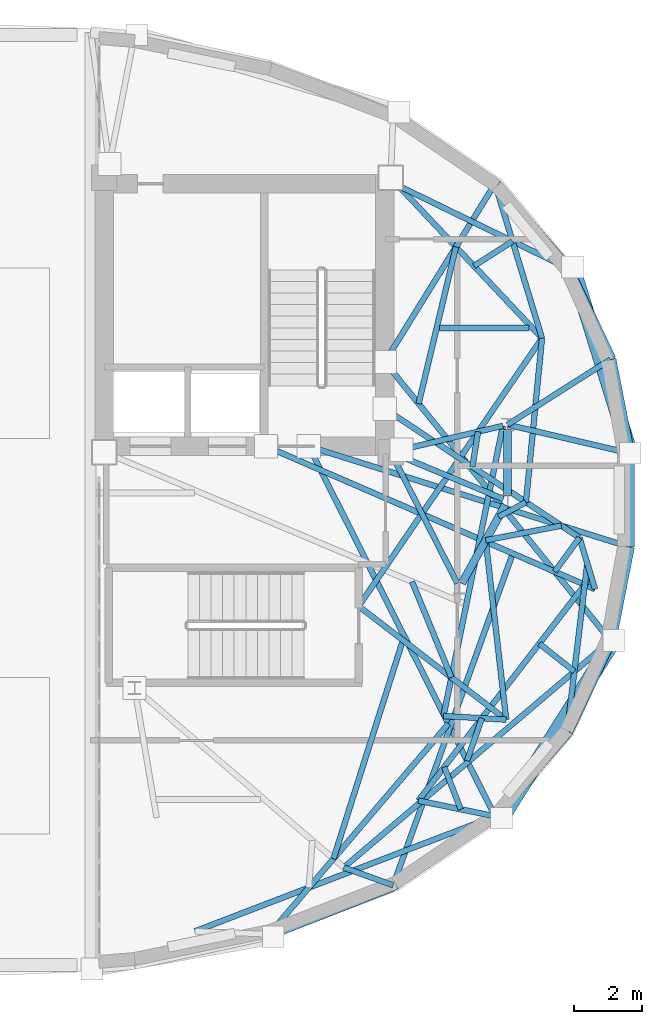
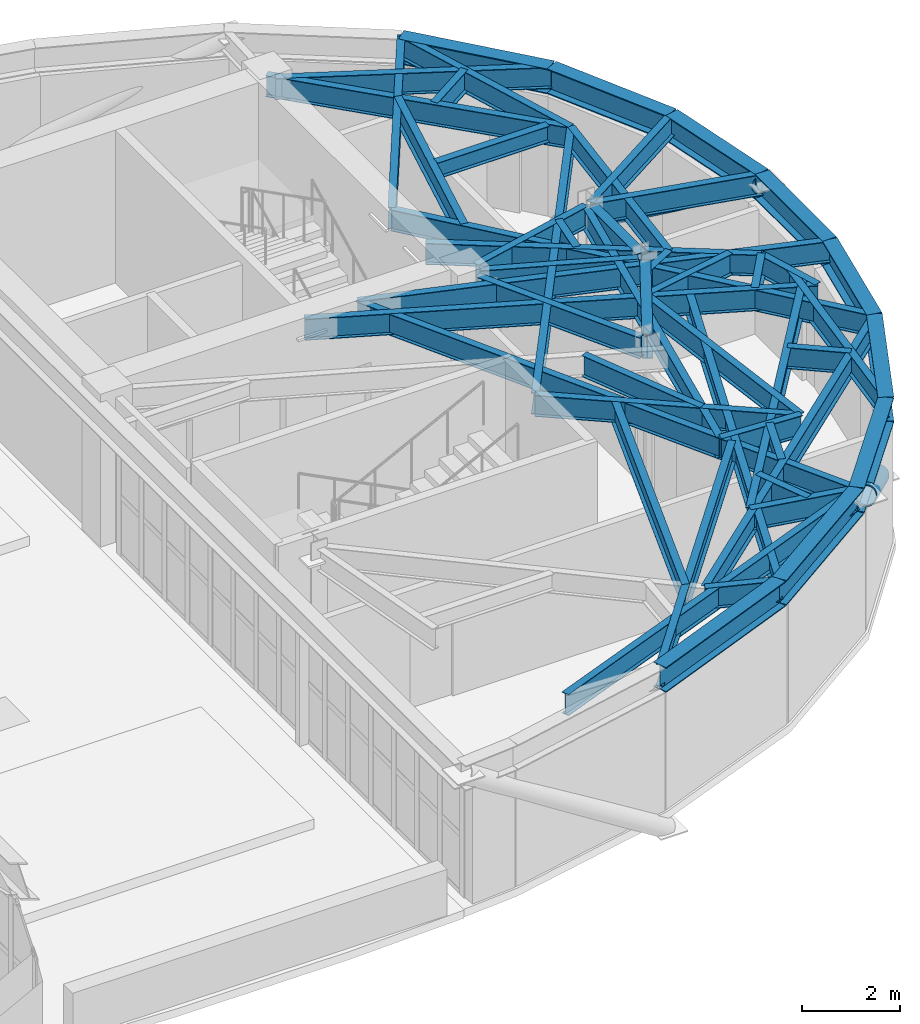
# One storey, part 5 of 13: 52 beams, 2 members.
"""IFC4 building model written with IfcOpenShell, lengths in metres."""

from ifc_helpers import new_model, si_unit, direction, frame, origin, origin_2d, place, context, subcontext, project, spatial, hollow_circle, i_section, extrude, material, material_profile, profile_set, type_object, element, save


model = new_model("IFC4")

# Units and contexts
model_context = context("Model", 3, precision=1e-05, world=origin(), true_north=direction((0.0, 1.0)))
body_context = subcontext(model_context, "Body", "Model", "MODEL_VIEW")
ifc_project = project(units=[si_unit("LENGTHUNIT", "METRE"), si_unit("AREAUNIT", "SQUARE_METRE"), si_unit("VOLUMEUNIT", "CUBIC_METRE"), si_unit("PLANEANGLEUNIT", "RADIAN"), si_unit("MASSUNIT", "GRAM", prefix="KILO")], contexts=[model_context])

# Site, building, storey
site_placement = place(None, origin())
site = spatial("IfcSite", under=ifc_project, at=site_placement, CompositionType="ELEMENT")
building_placement = place(site_placement, origin())
building = spatial("IfcBuilding", under=site, at=building_placement, Name="Keldmark Tower", CompositionType="ELEMENT")
storey_placement = place(building_placement, frame((0.0, 0.0, 269.199951171875)))
storey = spatial("IfcBuildingStorey", under=building, at=storey_placement, Name="L76", CompositionType="ELEMENT", Elevation=269.199951171875)

# Beam
ifc_material_1 = material(Name="Steel ASTM A992 Grade 50", Category="steel")
ifc_material_profile_1 = material_profile(ifc_material_1, i_section(OverallWidth=0.177978515625, OverallDepth=0.403076171875, WebThickness=0.007568359375, FlangeThickness=0.010986328125, at=origin_2d()), Name="W16X36")
ifc_profile_set_1 = profile_set([ifc_material_profile_1], Name="Steel ASTM A992 Grade 50")
beam_type_1 = type_object("IfcBeamType", Name="Composite Floor Joist W16X36", PredefinedType="JOIST", material=ifc_profile_set_1)
beam_1_placement = place(storey_placement, frame((15.0224609375, 5.0400390625, 3.3984375), z_axis=(1.0, 0.0, 0.0), x_axis=(0.0, 1.0, 0.0)))
element("IfcBeam", 1, at=beam_1_placement, inside=storey, type_object=beam_type_1, Name="L76 Composite Floor Joist J03", PredefinedType="JOIST", context=body_context, shape_type="SweptSolid", body=[
    extrude(i_section(OverallWidth=0.177978515625, OverallDepth=0.403076171875, WebThickness=0.007568359375, FlangeThickness=0.010986328125, at=origin_2d()), origin(), (0.0, 0.0, 1.0), 2.630859375),
])

# Members
ifc_material_2 = material(Name="Steel ASTM A572 Grade 50", Category="steel")
ifc_material_profile_2 = material_profile(ifc_material_2, hollow_circle(Radius=0.22509765625, WallThickness=0.02197265625, at=origin_2d()), Name="CHS450X22")
ifc_profile_set_2 = profile_set([ifc_material_profile_2], Name="Steel ASTM A572 Grade 50")
member_type = type_object("IfcMemberType", Name="Crown Frame Brace CHS450X22", PredefinedType="USERDEFINED", material=ifc_profile_set_2)
member_1_placement = place(storey_placement, frame((18.927490234375, 6.82763671875, -0.449951171875), z_axis=(0.247086594511, -0.79522326811, 0.553685983812), x_axis=(0.954964422566, 0.296720325616, 0.0)))
element("IfcMember", 2, at=member_1_placement, inside=storey, type_object=member_type, Name="L76 Crown Frame Diagonal E04", ObjectType="CROWN FRAME", PredefinedType="USERDEFINED", context=body_context, shape_type="SweptSolid", body=[
    extrude(hollow_circle(Radius=0.22509765625, WallThickness=0.02197265625, at=origin_2d()), origin(), (0.0, 0.0, 1.0), 6.86328125),
])
member_2_placement = place(storey_placement, frame((20.139892578125, -4.12158203125, -0.449951171875), z_axis=(-0.454661727466, -0.719636626699, 0.524791233816), x_axis=(0.845407009071, -0.534122634807, 0.0)))
element("IfcMember", 3, at=member_2_placement, inside=storey, type_object=member_type, Name="L76 Crown Frame Diagonal E08", ObjectType="CROWN FRAME", PredefinedType="USERDEFINED", context=body_context, shape_type="SweptSolid", body=[
    extrude(hollow_circle(Radius=0.22509765625, WallThickness=0.02197265625, at=origin_2d()), origin(), (0.0, 0.0, 1.0), 7.240966796875),
])

# Beams
ifc_material_3 = material(Name="Steel ASTM A992 Grade 50", Category="steel")
ifc_material_profile_3 = material_profile(ifc_material_3, i_section(OverallWidth=0.22802734375, OverallDepth=0.60302734375, WebThickness=0.010498046875, FlangeThickness=0.014892578125, at=origin_2d()), Name="W24X68")
ifc_profile_set_3 = profile_set([ifc_material_profile_3], Name="Steel ASTM A992 Grade 50")
beam_type_2 = type_object("IfcBeamType", Name="Primary Floor Girder W24X68", PredefinedType="BEAM", material=ifc_profile_set_3)
beam_2_placement = place(storey_placement, frame((15.68408203125, -2.44482421875, 3.298583984375), z_axis=(0.484719680408, 0.874669555561, 0.0), x_axis=(-0.874669555561, 0.484719680408, 0.0)))
element("IfcBeam", 4, at=beam_2_placement, inside=storey, type_object=beam_type_2, Name="L76 Floor Ring Girder FG-R07", PredefinedType="BEAM", context=body_context, shape_type="SweptSolid", body=[
    extrude(i_section(OverallWidth=0.22802734375, OverallDepth=0.60302734375, WebThickness=0.010498046875, FlangeThickness=0.014892578125, at=origin_2d()), origin(), (0.0, 0.0, 1.0), 2.627685546875),
])
beam_3_placement = place(storey_placement, frame((17.025634765625, 0.115966796875, 3.298583984375), z_axis=(0.0, 1.0, 0.0), x_axis=(-1.0, 0.0, 0.0)))
element("IfcBeam", 5, at=beam_3_placement, inside=storey, type_object=beam_type_2, Name="L76 Floor Ring Girder FG-R08", PredefinedType="BEAM", context=body_context, shape_type="SweptSolid", body=[
    extrude(i_section(OverallWidth=0.22802734375, OverallDepth=0.60302734375, WebThickness=0.010498046875, FlangeThickness=0.014892578125, at=origin_2d()), origin(), (0.0, 0.0, 1.0), 1.9521484375),
])
ifc_material_4 = material(Name="Steel ASTM A992 Grade 50", Category="steel")
ifc_material_profile_4 = material_profile(ifc_material_4, i_section(OverallWidth=0.166015625, OverallDepth=0.529052734375, WebThickness=0.009765625, FlangeThickness=0.013671875, at=origin_2d()), Name="W21X50")
ifc_profile_set_4 = profile_set([ifc_material_profile_4], Name="Steel ASTM A992 Grade 50")
beam_type_3 = type_object("IfcBeamType", Name="Radial Tie Girder W21X50", PredefinedType="BEAM", material=ifc_profile_set_4)
beam_4_placement = place(storey_placement, frame((16.889404296875, 2.17578125, 3.33544921875), z_axis=(-0.97329039005, -0.229577474147, 0.0), x_axis=(0.229577474147, -0.97329039005, 0.0)))
element("IfcBeam", 6, at=beam_4_placement, inside=storey, type_object=beam_type_3, Name="L76 Floor Radial Girder FG-C01", PredefinedType="BEAM", context=body_context, shape_type="SweptSolid", body=[
    extrude(i_section(OverallWidth=0.166015625, OverallDepth=0.529052734375, WebThickness=0.009765625, FlangeThickness=0.013671875, at=origin_2d()), origin(), (0.0, 0.0, 1.0), 3.0595703125),
])
beam_5_placement = place(storey_placement, frame((15.552734375, -2.442626953125, 3.33544921875), z_axis=(-0.453004410574, 0.89150827478, 0.0), x_axis=(-0.89150827478, -0.453004410574, 0.0)))
element("IfcBeam", 7, at=beam_5_placement, inside=storey, type_object=beam_type_3, Name="L76 Floor Radial Girder FG-C11", PredefinedType="BEAM", context=body_context, shape_type="SweptSolid", body=[
    extrude(i_section(OverallWidth=0.166015625, OverallDepth=0.529052734375, WebThickness=0.009765625, FlangeThickness=0.013671875, at=origin_2d()), origin(), (0.0, 0.0, 1.0), 3.990234375),
])
beam_6_placement = place(storey_placement, frame((16.896240234375, 0.02978515625, 3.33544921875), z_axis=(-0.923403331902, 0.383831065226, 0.0), x_axis=(-0.383831065226, -0.923403331902, 0.0)))
element("IfcBeam", 8, at=beam_6_placement, inside=storey, type_object=beam_type_3, Name="L76 Floor Radial Girder FG-C12", PredefinedType="BEAM", context=body_context, shape_type="SweptSolid", body=[
    extrude(i_section(OverallWidth=0.166015625, OverallDepth=0.529052734375, WebThickness=0.009765625, FlangeThickness=0.013671875, at=origin_2d()), origin(), (0.0, 0.0, 1.0), 3.249755859375),
])
beam_7_placement = place(storey_placement, frame((16.889404296875, 2.17578125, 3.33544921875), z_axis=(-0.20060593278, -0.979672016408, 0.0), x_axis=(0.979672016408, -0.20060593278, 0.0)))
element("IfcBeam", 9, at=beam_7_placement, inside=storey, type_object=beam_type_3, Name="L76 Sub-Ring Step Girder STP1-E07", PredefinedType="BEAM", context=body_context, shape_type="SweptSolid", body=[
    extrude(i_section(OverallWidth=0.166015625, OverallDepth=0.529052734375, WebThickness=0.009765625, FlangeThickness=0.013671875, at=origin_2d()), origin(), (0.0, 0.0, 1.0), 8.685791015625),
])
beam_8_placement = place(storey_placement, frame((16.7666015625, -0.4912109375, 3.33544921875), z_axis=(0.882181066687, 0.470910358326, 0.0), x_axis=(-0.470910358326, 0.882181066687, 0.0)))
element("IfcBeam", 10, at=beam_8_placement, inside=storey, type_object=beam_type_3, Name="L76 Framing Pin Header PH-002", PredefinedType="BEAM", context=body_context, shape_type="SweptSolid", body=[
    extrude(i_section(OverallWidth=0.166015625, OverallDepth=0.529052734375, WebThickness=0.009765625, FlangeThickness=0.013671875, at=origin_2d()), origin(), (0.0, 0.0, 1.0), 0.90478515625),
])
beam_9_placement = place(storey_placement, frame((13.425048828125, 2.675048828125, 3.33544921875), z_axis=(0.833861262773, -0.551974088564, 0.0), x_axis=(0.551974088564, 0.833861262773, 0.0)))
element("IfcBeam", 11, at=beam_9_placement, inside=storey, type_object=beam_type_3, Name="L76 Sub-Ring Step Girder STP2-E08", PredefinedType="BEAM", context=body_context, shape_type="SweptSolid", body=[
    extrude(i_section(OverallWidth=0.166015625, OverallDepth=0.529052734375, WebThickness=0.009765625, FlangeThickness=0.013671875, at=origin_2d()), origin(), (0.0, 0.0, 1.0), 6.84814453125),
])
beam_10_placement = place(storey_placement, frame((15.994873046875, 0.97412109375, 3.33544921875), z_axis=(0.158930709592, 0.987289739412, 0.0), x_axis=(-0.987289739412, 0.158930709592, 0.0)))
element("IfcBeam", 12, at=beam_10_placement, inside=storey, type_object=beam_type_3, Name="L76 Framing Pin Header PH-003", PredefinedType="BEAM", context=body_context, shape_type="SweptSolid", body=[
    extrude(i_section(OverallWidth=0.166015625, OverallDepth=0.529052734375, WebThickness=0.009765625, FlangeThickness=0.013671875, at=origin_2d()), origin(), (0.0, 0.0, 1.0), 1.04296875),
])
beam_11_placement = place(storey_placement, frame((12.659912109375, -3.11328125, 3.33544921875), z_axis=(0.564613134891, 0.825355685695, 0.0), x_axis=(-0.825355685695, 0.564613134891, 0.0)))
element("IfcBeam", 13, at=beam_11_placement, inside=storey, type_object=beam_type_3, Name="L76 Intermediate Radial Step Girder CRT-E05M", PredefinedType="BEAM", context=body_context, shape_type="SweptSolid", body=[
    extrude(i_section(OverallWidth=0.166015625, OverallDepth=0.529052734375, WebThickness=0.009765625, FlangeThickness=0.013671875, at=origin_2d()), origin(), (0.0, 0.0, 1.0), 9.521484375),
])
beam_12_placement = place(storey_placement, frame((17.564697265625, -0.065185546875, 3.33544921875), z_axis=(0.09748313799, 0.995237176661, 0.0), x_axis=(-0.995237176661, 0.09748313799, 0.0)))
element("IfcBeam", 14, at=beam_12_placement, inside=storey, type_object=beam_type_3, Name="L76 Local Collector Chord CRT-E05C", PredefinedType="BEAM", context=body_context, shape_type="SweptSolid", body=[
    extrude(i_section(OverallWidth=0.166015625, OverallDepth=0.529052734375, WebThickness=0.009765625, FlangeThickness=0.013671875, at=origin_2d()), origin(), (0.0, 0.0, 1.0), 4.83349609375),
])
beam_13_placement = place(storey_placement, frame((17.025634765625, 2.2080078125, 3.33544921875), z_axis=(0.844301515999, 0.535868407431, 0.0), x_axis=(-0.535868407431, 0.844301515999, 0.0)))
element("IfcBeam", 15, at=beam_13_placement, inside=storey, type_object=beam_type_3, Name="L76 Perimeter Column Bracket CRT-E06", PredefinedType="BEAM", context=body_context, shape_type="SweptSolid", body=[
    extrude(i_section(OverallWidth=0.166015625, OverallDepth=0.529052734375, WebThickness=0.009765625, FlangeThickness=0.013671875, at=origin_2d()), origin(), (0.0, 0.0, 1.0), 3.577880859375),
])
beam_14_placement = place(storey_placement, frame((17.025634765625, 2.2080078125, 3.33544921875), z_axis=(0.973729775852, -0.22770666134, 0.0), x_axis=(0.22770666134, 0.973729775852, 0.0)))
element("IfcBeam", 16, at=beam_14_placement, inside=storey, type_object=beam_type_3, Name="L76 Perimeter Column Bracket CRT-E07", PredefinedType="BEAM", context=body_context, shape_type="SweptSolid", body=[
    extrude(i_section(OverallWidth=0.166015625, OverallDepth=0.529052734375, WebThickness=0.009765625, FlangeThickness=0.013671875, at=origin_2d()), origin(), (0.0, 0.0, 1.0), 3.656005859375),
])
beam_15_placement = place(storey_placement, frame((16.384521484375, -1.180908203125, 3.33544921875), z_axis=(0.981879844891, 0.189504538726, 0.0), x_axis=(-0.189504538726, 0.981879844891, 0.0)))
element("IfcBeam", 17, at=beam_15_placement, inside=storey, type_object=beam_type_3, Name="L76 Framing Pin Header PH-004", PredefinedType="BEAM", context=body_context, shape_type="SweptSolid", body=[
    extrude(i_section(OverallWidth=0.166015625, OverallDepth=0.529052734375, WebThickness=0.009765625, FlangeThickness=0.013671875, at=origin_2d()), origin(), (0.0, 0.0, 1.0), 2.259765625),
])
beam_16_placement = place(storey_placement, frame((11.19287109375, 1.574951171875, 3.33544921875), z_axis=(0.954039910997, -0.299679575921, 0.0), x_axis=(0.299679575921, 0.954039910997, 0.0)))
element("IfcBeam", 18, at=beam_16_placement, inside=storey, type_object=beam_type_3, Name="L76 Perimeter Radial Tie Girder CRT-E08", PredefinedType="BEAM", context=body_context, shape_type="SweptSolid", body=[
    extrude(i_section(OverallWidth=0.166015625, OverallDepth=0.529052734375, WebThickness=0.009765625, FlangeThickness=0.013671875, at=origin_2d()), origin(), (0.0, 0.0, 1.0), 9.84521484375),
])
beam_17_placement = place(storey_placement, frame((9.939208984375, 1.574951171875, 3.33544921875), z_axis=(0.917287926836, -0.398224634196, 0.0), x_axis=(0.398224634196, 0.917287926836, 0.0)))
element("IfcBeam", 19, at=beam_17_placement, inside=storey, type_object=beam_type_3, Name="L76 Intermediate Radial Step Girder CRT-E09M", PredefinedType="BEAM", context=body_context, shape_type="SweptSolid", body=[
    extrude(i_section(OverallWidth=0.166015625, OverallDepth=0.529052734375, WebThickness=0.009765625, FlangeThickness=0.013671875, at=origin_2d()), origin(), (0.0, 0.0, 1.0), 10.522216796875),
])
beam_18_placement = place(storey_placement, frame((19.135498046875, -1.10498046875, 3.33544921875), z_axis=(0.288795838525, -0.957390705851, 0.0), x_axis=(0.957390705851, 0.288795838525, 0.0)))
element("IfcBeam", 20, at=beam_18_placement, inside=storey, type_object=beam_type_3, Name="L76 Local Collector Chord CRT-E09C", PredefinedType="BEAM", context=body_context, shape_type="SweptSolid", body=[
    extrude(i_section(OverallWidth=0.166015625, OverallDepth=0.529052734375, WebThickness=0.009765625, FlangeThickness=0.013671875, at=origin_2d()), origin(), (0.0, 0.0, 1.0), 1.577392578125),
])
beam_19_placement = place(storey_placement, frame((19.135498046875, -1.10498046875, 3.33544921875), z_axis=(-0.590110823857, -0.807322250137, 0.0), x_axis=(0.807322250137, -0.590110823857, 0.0)))
element("IfcBeam", 21, at=beam_19_placement, inside=storey, type_object=beam_type_3, Name="L76 Framing Pin Header PH-005", PredefinedType="BEAM", context=body_context, shape_type="SweptSolid", body=[
    extrude(i_section(OverallWidth=0.166015625, OverallDepth=0.529052734375, WebThickness=0.009765625, FlangeThickness=0.013671875, at=origin_2d()), origin(), (0.0, 0.0, 1.0), 1.234130859375),
])
beam_20_placement = place(storey_placement, frame((13.425048828125, 4.050048828125, 3.33544921875), z_axis=(0.629384466897, -0.777094069485, 0.0), x_axis=(0.777094069485, 0.629384466897, 0.0)))
element("IfcBeam", 22, at=beam_20_placement, inside=storey, type_object=beam_type_3, Name="L76 Perimeter Radial Tie Girder CRT-E09", PredefinedType="BEAM", context=body_context, shape_type="SweptSolid", body=[
    extrude(i_section(OverallWidth=0.166015625, OverallDepth=0.529052734375, WebThickness=0.009765625, FlangeThickness=0.013671875, at=origin_2d()), origin(), (0.0, 0.0, 1.0), 10.520263671875),
])
beam_21_placement = place(storey_placement, frame((14.22412109375, -2.39404296875, 3.33544921875), z_axis=(0.379896750089, -0.925028896452, 0.0), x_axis=(0.925028896452, 0.379896750089, 0.0)))
element("IfcBeam", 23, at=beam_21_placement, inside=storey, type_object=beam_type_3, Name="L76 Framing Pin Header PH-006", PredefinedType="BEAM", context=body_context, shape_type="SweptSolid", body=[
    extrude(i_section(OverallWidth=0.166015625, OverallDepth=0.529052734375, WebThickness=0.009765625, FlangeThickness=0.013671875, at=origin_2d()), origin(), (0.0, 0.0, 1.0), 3.037841796875),
])
beam_22_placement = place(storey_placement, frame((12.659912109375, -3.11328125, 3.33544921875), z_axis=(0.792607358853, -0.609732379567, 0.0), x_axis=(0.609732379567, 0.792607358853, 0.0)))
element("IfcBeam", 24, at=beam_22_placement, inside=storey, type_object=beam_type_3, Name="L76 Intermediate Radial Step Girder CRT-E10M", PredefinedType="BEAM", context=body_context, shape_type="SweptSolid", body=[
    extrude(i_section(OverallWidth=0.166015625, OverallDepth=0.529052734375, WebThickness=0.009765625, FlangeThickness=0.013671875, at=origin_2d()), origin(), (0.0, 0.0, 1.0), 5.45751953125),
])
beam_23_placement = place(storey_placement, frame((15.14697265625, -6.33349609375, 3.33544921875), z_axis=(0.998297606512, -0.0583257133, 0.0), x_axis=(0.0583257133, 0.998297606512, 0.0)))
element("IfcBeam", 25, at=beam_23_placement, inside=storey, type_object=beam_type_3, Name="L76 Local Collector Chord CRT-E10C", PredefinedType="BEAM", context=body_context, shape_type="SweptSolid", body=[
    extrude(i_section(OverallWidth=0.166015625, OverallDepth=0.529052734375, WebThickness=0.009765625, FlangeThickness=0.013671875, at=origin_2d()), origin(), (0.0, 0.0, 1.0), 1.841796875),
])
beam_24_placement = place(storey_placement, frame((11.19287109375, 1.574951171875, 3.33544921875), z_axis=(0.449840641635, -0.893108838347, 0.0), x_axis=(0.893108838347, 0.449840641635, 0.0)))
element("IfcBeam", 26, at=beam_24_placement, inside=storey, type_object=beam_type_3, Name="L76 Perimeter Radial Tie Girder CRT-E11", PredefinedType="BEAM", context=body_context, shape_type="SweptSolid", body=[
    extrude(i_section(OverallWidth=0.166015625, OverallDepth=0.529052734375, WebThickness=0.009765625, FlangeThickness=0.013671875, at=origin_2d()), origin(), (0.0, 0.0, 1.0), 12.146728515625),
])
beam_25_placement = place(storey_placement, frame((15.83740234375, -7.64599609375, 3.33544921875), z_axis=(0.328463238205, 0.944516755356, 0.0), x_axis=(-0.944516755356, 0.328463238205, 0.0)))
element("IfcBeam", 27, at=beam_25_placement, inside=storey, type_object=beam_type_3, Name="L76 Framing Pin Header PH-007", PredefinedType="BEAM", context=body_context, shape_type="SweptSolid", body=[
    extrude(i_section(OverallWidth=0.166015625, OverallDepth=0.529052734375, WebThickness=0.009765625, FlangeThickness=0.013671875, at=origin_2d()), origin(), (0.0, 0.0, 1.0), 1.320068359375),
])
beam_26_placement = place(storey_placement, frame((19.477294921875, -2.23779296875, 3.33544921875), z_axis=(-0.610344189947, -0.792136332835, 0.0), x_axis=(0.792136332835, -0.610344189947, 0.0)))
element("IfcBeam", 28, at=beam_26_placement, inside=storey, type_object=beam_type_3, Name="L76 Intermediate Radial Step Girder CRT-E12M", PredefinedType="BEAM", context=body_context, shape_type="SweptSolid", body=[
    extrude(i_section(OverallWidth=0.166015625, OverallDepth=0.529052734375, WebThickness=0.009765625, FlangeThickness=0.013671875, at=origin_2d()), origin(), (0.0, 0.0, 1.0), 8.304931640625),
])
beam_27_placement = place(storey_placement, frame((16.656982421875, -9.2734375, 3.33544921875), z_axis=(-0.979962014697, 0.199184461619, 0.0), x_axis=(-0.199184461619, -0.979962014697, 0.0)))
element("IfcBeam", 29, at=beam_27_placement, inside=storey, type_object=beam_type_3, Name="L76 Local Collector Chord CRT-E12C", PredefinedType="BEAM", context=body_context, shape_type="SweptSolid", body=[
    extrude(i_section(OverallWidth=0.166015625, OverallDepth=0.529052734375, WebThickness=0.009765625, FlangeThickness=0.013671875, at=origin_2d()), origin(), (0.0, 0.0, 1.0), 2.29443359375),
])
beam_28_placement = place(storey_placement, frame((15.168701171875, -7.82958984375, 3.33544921875), z_axis=(0.36343763456, -0.931618530186, 0.0), x_axis=(0.931618530186, 0.36343763456, 0.0)))
element("IfcBeam", 30, at=beam_28_placement, inside=storey, type_object=beam_type_3, Name="L76 Framing Pin Header PH-008", PredefinedType="BEAM", context=body_context, shape_type="SweptSolid", body=[
    extrude(i_section(OverallWidth=0.166015625, OverallDepth=0.529052734375, WebThickness=0.009765625, FlangeThickness=0.013671875, at=origin_2d()), origin(), (0.0, 0.0, 1.0), 1.330810546875),
])
beam_29_placement = place(storey_placement, frame((17.17822265625, -1.567626953125, 3.33544921875), z_axis=(-0.339123066699, -0.940742018639, 0.0), x_axis=(0.940742018639, -0.339123066699, 0.0)))
element("IfcBeam", 31, at=beam_29_placement, inside=storey, type_object=beam_type_3, Name="L76 Perimeter Radial Tie Girder CRT-E12", PredefinedType="BEAM", context=body_context, shape_type="SweptSolid", body=[
    extrude(i_section(OverallWidth=0.166015625, OverallDepth=0.529052734375, WebThickness=0.009765625, FlangeThickness=0.013671875, at=origin_2d()), origin(), (0.0, 0.0, 1.0), 10.34521484375),
])
beam_30_placement = place(storey_placement, frame((20.04638671875, -4.125244140625, 3.33544921875), z_axis=(-0.762010288482, -0.647564915857, 0.0), x_axis=(0.647564915857, -0.762010288482, 0.0)))
element("IfcBeam", 32, at=beam_30_placement, inside=storey, type_object=beam_type_3, Name="L76 Intermediate Radial Step Girder CRT-E13M", PredefinedType="BEAM", context=body_context, shape_type="SweptSolid", body=[
    extrude(i_section(OverallWidth=0.166015625, OverallDepth=0.529052734375, WebThickness=0.009765625, FlangeThickness=0.013671875, at=origin_2d()), origin(), (0.0, 0.0, 1.0), 10.26953125),
])
beam_31_placement = place(storey_placement, frame((13.669921875, -11.2998046875, 3.33544921875), z_axis=(-0.940310436805, 0.340317913775, 0.0), x_axis=(-0.340317913775, -0.940310436805, 0.0)))
element("IfcBeam", 33, at=beam_31_placement, inside=storey, type_object=beam_type_3, Name="L76 Local Collector Chord CRT-E13C", PredefinedType="BEAM", context=body_context, shape_type="SweptSolid", body=[
    extrude(i_section(OverallWidth=0.166015625, OverallDepth=0.529052734375, WebThickness=0.009765625, FlangeThickness=0.013671875, at=origin_2d()), origin(), (0.0, 0.0, 1.0), 1.541015625),
])
beam_32_placement = place(storey_placement, frame((18.035888671875, 4.745361328125, 3.33544921875), z_axis=(-0.686015724155, 0.727586713879, 0.0), x_axis=(-0.727586713879, -0.686015724155, 0.0)))
element("IfcBeam", 34, at=beam_32_placement, inside=storey, type_object=beam_type_3, Name="L76 Straddling Support Chord CRT-E04RB", PredefinedType="BEAM", context=body_context, shape_type="SweptSolid", body=[
    extrude(i_section(OverallWidth=0.166015625, OverallDepth=0.529052734375, WebThickness=0.009765625, FlangeThickness=0.013671875, at=origin_2d()), origin(), (0.0, 0.0, 1.0), 6.466064453125),
])
beam_33_placement = place(storey_placement, frame((14.418212890625, 2.82373046875, 3.33544921875), z_axis=(0.231327258914, 0.972875993785, 0.0), x_axis=(-0.972875993785, 0.231327258914, 0.0)))
element("IfcBeam", 35, at=beam_33_placement, inside=storey, type_object=beam_type_3, Name="L76 Framing Pin Header PH-009", PredefinedType="BEAM", context=body_context, shape_type="SweptSolid", body=[
    extrude(i_section(OverallWidth=0.166015625, OverallDepth=0.529052734375, WebThickness=0.009765625, FlangeThickness=0.013671875, at=origin_2d()), origin(), (0.0, 0.0, 1.0), 4.72705078125),
])
beam_34_placement = place(storey_placement, frame((13.425048828125, 4.050048828125, 3.33544921875), z_axis=(0.526167140632, 0.850381173427, 0.0), x_axis=(-0.850381173427, 0.526167140632, 0.0)))
element("IfcBeam", 36, at=beam_34_placement, inside=storey, type_object=beam_type_3, Name="L76 Perimeter Radial Tie Girder CRT-E04R", PredefinedType="BEAM", context=body_context, shape_type="SweptSolid", body=[
    extrude(i_section(OverallWidth=0.166015625, OverallDepth=0.529052734375, WebThickness=0.009765625, FlangeThickness=0.013671875, at=origin_2d()), origin(), (0.0, 0.0, 1.0), 6.142333984375),
])
beam_35_placement = place(storey_placement, frame((18.035888671875, 4.745361328125, 3.33544921875), z_axis=(-0.291315544481, 0.956627019033, 0.0), x_axis=(-0.956627019033, -0.291315544481, 0.0)))
element("IfcBeam", 37, at=beam_35_placement, inside=storey, type_object=beam_type_3, Name="L76 Straddling Support Chord CRT-E05RB", PredefinedType="BEAM", context=body_context, shape_type="SweptSolid", body=[
    extrude(i_section(OverallWidth=0.166015625, OverallDepth=0.529052734375, WebThickness=0.009765625, FlangeThickness=0.013671875, at=origin_2d()), origin(), (0.0, 0.0, 1.0), 4.7333984375),
])
beam_36_placement = place(storey_placement, frame((16.039794921875, 6.862548828125, 3.33544921875), z_axis=(0.842611442349, 0.538522011827, 0.0), x_axis=(-0.538522011827, 0.842611442349, 0.0)))
element("IfcBeam", 38, at=beam_36_placement, inside=storey, type_object=beam_type_3, Name="L76 Framing Pin Header PH-010", PredefinedType="BEAM", context=body_context, shape_type="SweptSolid", body=[
    extrude(i_section(OverallWidth=0.166015625, OverallDepth=0.529052734375, WebThickness=0.009765625, FlangeThickness=0.013671875, at=origin_2d()), origin(), (0.0, 0.0, 1.0), 1.34228515625),
])
beam_37_placement = place(storey_placement, frame((13.699951171875, 9.27490234375, 3.33544921875), z_axis=(0.899146251602, -0.43764828142, 0.0), x_axis=(0.43764828142, 0.899146251602, 0.0)))
element("IfcBeam", 39, at=beam_37_placement, inside=storey, type_object=beam_type_3, Name="L76 Perimeter Radial Tie Girder CRT-E05R", PredefinedType="BEAM", context=body_context, shape_type="SweptSolid", body=[
    extrude(i_section(OverallWidth=0.166015625, OverallDepth=0.529052734375, WebThickness=0.009765625, FlangeThickness=0.013671875, at=origin_2d()), origin(), (0.0, 0.0, 1.0), 5.640380859375),
])
beam_38_placement = place(storey_placement, frame((16.985595703125, -6.44091796875, 3.33544921875), z_axis=(-0.113533585486, 0.993534158933, 0.0), x_axis=(-0.993534158933, -0.113533585486, 0.0)))
element("IfcBeam", 40, at=beam_38_placement, inside=storey, type_object=beam_type_3, Name="L76 Straddling Support Chord CRT-E10RB", PredefinedType="BEAM", context=body_context, shape_type="SweptSolid", body=[
    extrude(i_section(OverallWidth=0.166015625, OverallDepth=0.529052734375, WebThickness=0.009765625, FlangeThickness=0.013671875, at=origin_2d()), origin(), (0.0, 0.0, 1.0), 5.294189453125),
])
beam_39_placement = place(storey_placement, frame((17.95654296875, -4.211181640625, 3.33544921875), z_axis=(0.782950992428, -0.622083389471, 0.0), x_axis=(0.622083389471, 0.782950992428, 0.0)))
element("IfcBeam", 41, at=beam_39_placement, inside=storey, type_object=beam_type_3, Name="L76 Framing Pin Header PH-011", PredefinedType="BEAM", context=body_context, shape_type="SweptSolid", body=[
    extrude(i_section(OverallWidth=0.166015625, OverallDepth=0.529052734375, WebThickness=0.009765625, FlangeThickness=0.013671875, at=origin_2d()), origin(), (0.0, 0.0, 1.0), 1.312744140625),
])
beam_40_placement = place(storey_placement, frame((19.36328125, -1.860107421875, 3.33544921875), z_axis=(-0.118797358966, -0.992918520072, 0.0), x_axis=(0.992918520072, -0.118797358966, 0.0)))
element("IfcBeam", 42, at=beam_40_placement, inside=storey, type_object=beam_type_3, Name="L76 Perimeter Radial Tie Girder CRT-E10R", PredefinedType="BEAM", context=body_context, shape_type="SweptSolid", body=[
    extrude(i_section(OverallWidth=0.166015625, OverallDepth=0.529052734375, WebThickness=0.009765625, FlangeThickness=0.013671875, at=origin_2d()), origin(), (0.0, 0.0, 1.0), 4.9814453125),
])
beam_41_placement = place(storey_placement, frame((13.957763671875, -4.111572265625, 3.33544921875), z_axis=(-0.302969791772, -0.953000160165, 0.0), x_axis=(0.953000160165, -0.302969791772, 0.0)))
element("IfcBeam", 43, at=beam_41_placement, inside=storey, type_object=beam_type_3, Name="L76 Framing Pin Header PH-012", PredefinedType="BEAM", context=body_context, shape_type="SweptSolid", body=[
    extrude(i_section(OverallWidth=0.166015625, OverallDepth=0.529052734375, WebThickness=0.009765625, FlangeThickness=0.013671875, at=origin_2d()), origin(), (0.0, 0.0, 1.0), 6.72216796875),
])
beam_42_placement = place(storey_placement, frame((15.291015625, -6.561279296875, 3.33544921875), z_axis=(-0.648392780737, -0.761305984404, 0.0), x_axis=(0.761305984404, -0.648392780737, 0.0)))
element("IfcBeam", 44, at=beam_42_placement, inside=storey, type_object=beam_type_3, Name="L76 Perimeter Radial Tie Girder CRT-E13R", PredefinedType="BEAM", context=body_context, shape_type="SweptSolid", body=[
    extrude(i_section(OverallWidth=0.166015625, OverallDepth=0.529052734375, WebThickness=0.009765625, FlangeThickness=0.013671875, at=origin_2d()), origin(), (0.0, 0.0, 1.0), 8.108154296875),
])
beam_43_placement = place(storey_placement, frame((16.656982421875, -9.2734375, 3.33544921875), z_axis=(-0.933707136137, -0.358037685064, 0.0), x_axis=(0.358037685064, -0.933707136137, 0.0)))
element("IfcBeam", 45, at=beam_43_placement, inside=storey, type_object=beam_type_3, Name="L76 Crown Step Radial Girder CRT-E14RN2", PredefinedType="BEAM", context=body_context, shape_type="SweptSolid", body=[
    extrude(i_section(OverallWidth=0.166015625, OverallDepth=0.529052734375, WebThickness=0.009765625, FlangeThickness=0.013671875, at=origin_2d()), origin(), (0.0, 0.0, 1.0), 9.4208984375),
])
ifc_material_5 = material(Name="Steel ASTM A992 Grade 50", Category="steel")
ifc_material_profile_5 = material_profile(ifc_material_5, i_section(OverallWidth=0.326904296875, OverallDepth=0.6220703125, WebThickness=0.015380859375, FlangeThickness=0.0244140625, at=origin_2d()), Name="W24X131")
ifc_profile_set_5 = profile_set([ifc_material_profile_5], Name="Steel ASTM A992 Grade 50")
beam_type_4 = type_object("IfcBeamType", Name="Spandrel Ring Beam W24X131", PredefinedType="SPANDREL", material=ifc_profile_set_5)
beam_44_placement = place(storey_placement, frame((16.656982421875, 9.2734375, 3.2890625), z_axis=(0.650772809682, -0.759272513778, 0.0), x_axis=(0.759272513778, 0.650772809682, 0.0)))
element("IfcBeam", 46, at=beam_44_placement, inside=storey, type_object=beam_type_4, Name="L76 Crown Spandrel Ring Beam CRB-E04", PredefinedType="SPANDREL", context=body_context, shape_type="SweptSolid", body=[
    extrude(i_section(OverallWidth=0.326904296875, OverallDepth=0.6220703125, WebThickness=0.015380859375, FlangeThickness=0.0244140625, at=origin_2d()), origin(), (0.0, 0.0, 1.0), 3.249267578125),
])
beam_45_placement = place(storey_placement, frame((18.771484375, 6.806396484375, 3.2890625), z_axis=(0.429429161272, -0.903100545593, 0.0), x_axis=(0.903100545593, 0.429429161272, 0.0)))
element("IfcBeam", 47, at=beam_45_placement, inside=storey, type_object=beam_type_4, Name="L76 Crown Spandrel Ring Beam CRB-E05", PredefinedType="SPANDREL", context=body_context, shape_type="SweptSolid", body=[
    extrude(i_section(OverallWidth=0.326904296875, OverallDepth=0.6220703125, WebThickness=0.015380859375, FlangeThickness=0.0244140625, at=origin_2d()), origin(), (0.0, 0.0, 1.0), 2.96875),
])
beam_46_placement = place(storey_placement, frame((20.04638671875, 4.125244140625, 3.2890625), z_axis=(0.192462168718, -0.981304393964, 0.0), x_axis=(0.981304393964, 0.192462168718, 0.0)))
element("IfcBeam", 48, at=beam_46_placement, inside=storey, type_object=beam_type_4, Name="L76 Crown Spandrel Ring Beam CRB-E06", PredefinedType="SPANDREL", context=body_context, shape_type="SweptSolid", body=[
    extrude(i_section(OverallWidth=0.326904296875, OverallDepth=0.6220703125, WebThickness=0.015380859375, FlangeThickness=0.0244140625, at=origin_2d()), origin(), (0.0, 0.0, 1.0), 2.80224609375),
])
beam_47_placement = place(storey_placement, frame((20.585693359375, 1.37548828125, 3.2890625), z_axis=(0.0, -1.0, 0.0), x_axis=(1.0, 0.0, 0.0)))
element("IfcBeam", 49, at=beam_47_placement, inside=storey, type_object=beam_type_4, Name="L76 Crown Spandrel Ring Beam CRB-E07", PredefinedType="SPANDREL", context=body_context, shape_type="SweptSolid", body=[
    extrude(i_section(OverallWidth=0.326904296875, OverallDepth=0.6220703125, WebThickness=0.015380859375, FlangeThickness=0.0244140625, at=origin_2d()), origin(), (0.0, 0.0, 1.0), 2.7509765625),
])
beam_48_placement = place(storey_placement, frame((20.585693359375, -1.37548828125, 3.2890625), z_axis=(-0.192462168718, -0.981304393964, 0.0), x_axis=(0.981304393964, -0.192462168718, 0.0)))
element("IfcBeam", 50, at=beam_48_placement, inside=storey, type_object=beam_type_4, Name="L76 Crown Spandrel Ring Beam CRB-E08", PredefinedType="SPANDREL", context=body_context, shape_type="SweptSolid", body=[
    extrude(i_section(OverallWidth=0.326904296875, OverallDepth=0.6220703125, WebThickness=0.015380859375, FlangeThickness=0.0244140625, at=origin_2d()), origin(), (0.0, 0.0, 1.0), 2.80224609375),
])
beam_49_placement = place(storey_placement, frame((20.04638671875, -4.125244140625, 3.2890625), z_axis=(-0.429429161272, -0.903100545593, 0.0), x_axis=(0.903100545593, -0.429429161272, 0.0)))
element("IfcBeam", 51, at=beam_49_placement, inside=storey, type_object=beam_type_4, Name="L76 Crown Spandrel Ring Beam CRB-E09", PredefinedType="SPANDREL", context=body_context, shape_type="SweptSolid", body=[
    extrude(i_section(OverallWidth=0.326904296875, OverallDepth=0.6220703125, WebThickness=0.015380859375, FlangeThickness=0.0244140625, at=origin_2d()), origin(), (0.0, 0.0, 1.0), 2.96875),
])
beam_50_placement = place(storey_placement, frame((18.771484375, -6.806396484375, 3.2890625), z_axis=(-0.650772809682, -0.759272513778, 0.0), x_axis=(0.759272513778, -0.650772809682, 0.0)))
element("IfcBeam", 52, at=beam_50_placement, inside=storey, type_object=beam_type_4, Name="L76 Crown Spandrel Ring Beam CRB-E10", PredefinedType="SPANDREL", context=body_context, shape_type="SweptSolid", body=[
    extrude(i_section(OverallWidth=0.326904296875, OverallDepth=0.6220703125, WebThickness=0.015380859375, FlangeThickness=0.0244140625, at=origin_2d()), origin(), (0.0, 0.0, 1.0), 3.249267578125),
])
beam_51_placement = place(storey_placement, frame((16.656982421875, -9.2734375, 3.2890625), z_axis=(-0.827548721737, -0.561393901955, 0.0), x_axis=(0.561393901955, -0.827548721737, 0.0)))
element("IfcBeam", 53, at=beam_51_placement, inside=storey, type_object=beam_type_4, Name="L76 Crown Spandrel Ring Beam CRB-E11", PredefinedType="SPANDREL", context=body_context, shape_type="SweptSolid", body=[
    extrude(i_section(OverallWidth=0.326904296875, OverallDepth=0.6220703125, WebThickness=0.015380859375, FlangeThickness=0.0244140625, at=origin_2d()), origin(), (0.0, 0.0, 1.0), 3.609619140625),
])
beam_52_placement = place(storey_placement, frame((13.669921875, -11.2998046875, 3.2890625), z_axis=(-0.930245006855, -0.366938996594, 0.0), x_axis=(0.366938996594, -0.930245006855, 0.0)))
element("IfcBeam", 54, at=beam_52_placement, inside=storey, type_object=beam_type_4, Name="L76 Crown Spandrel Ring Beam CRB-E12", PredefinedType="SPANDREL", context=body_context, shape_type="SweptSolid", body=[
    extrude(i_section(OverallWidth=0.326904296875, OverallDepth=0.6220703125, WebThickness=0.015380859375, FlangeThickness=0.0244140625, at=origin_2d()), origin(), (0.0, 0.0, 1.0), 3.908935546875),
])

save(model, "model.ifc")
